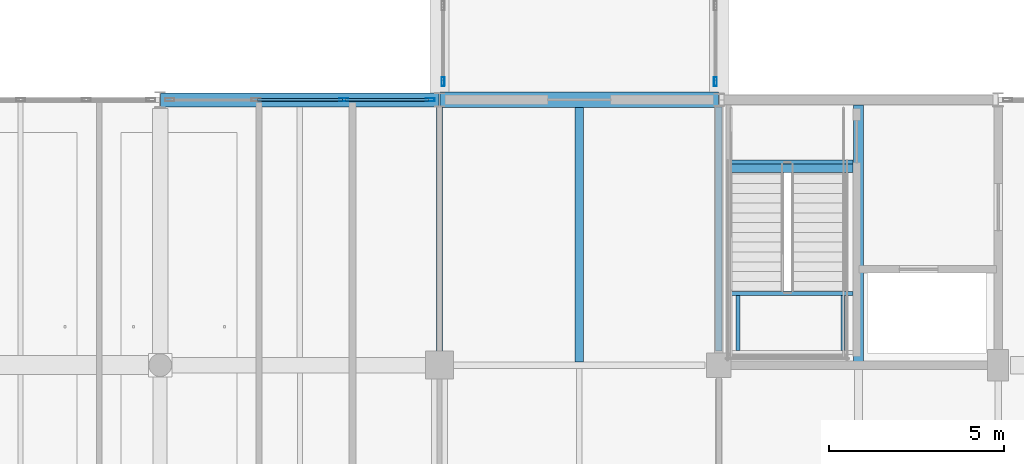
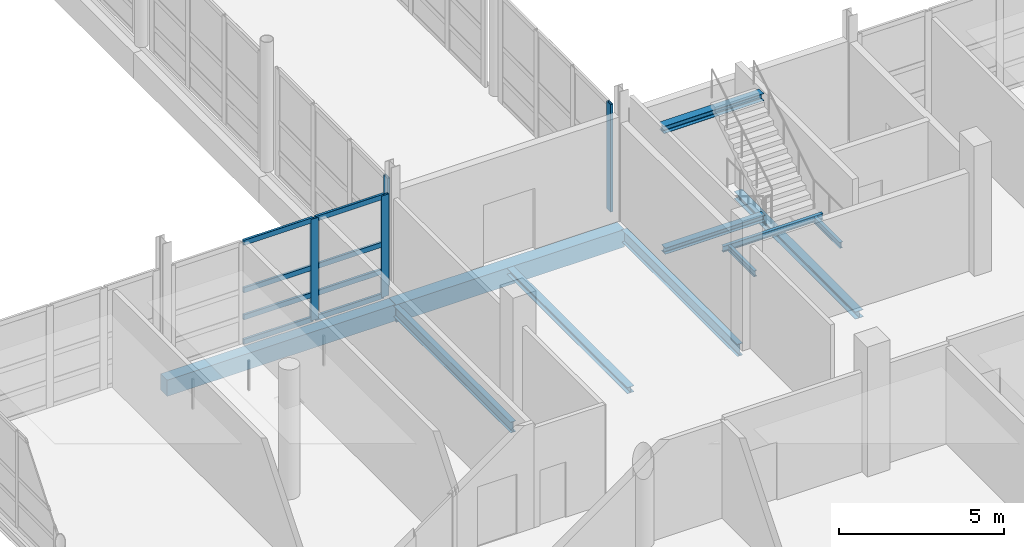
# One storey, part 51 of 147: 12 members, 11 beams, 3 elements without a shape of their own.
"""IFC4 building model written with IfcOpenShell, lengths in metres."""

from ifc_helpers import new_model, si_unit, direction, frame, origin, origin_2d, place, context, subcontext, project, spatial, rectangle, hollow_rectangle, i_section, extrude, material, material_profile, profile_set, type_object, element, aggregate, save


model = new_model("IFC4")

# Units and contexts
model_context = context("Model", 3, precision=1e-05, world=origin(), true_north=direction((0.0, 1.0)))
body_context = subcontext(model_context, "Body", "Model", "MODEL_VIEW")
ifc_project = project(units=[si_unit("LENGTHUNIT", "METRE"), si_unit("AREAUNIT", "SQUARE_METRE"), si_unit("VOLUMEUNIT", "CUBIC_METRE"), si_unit("PLANEANGLEUNIT", "RADIAN"), si_unit("MASSUNIT", "GRAM", prefix="KILO")], contexts=[model_context])

# Site, building, storey
site_placement = place(None, origin())
site = spatial("IfcSite", under=ifc_project, at=site_placement, CompositionType="ELEMENT")
building_placement = place(site_placement, origin())
building = spatial("IfcBuilding", under=site, at=building_placement, Name="Khelvaren Railside Concert Hall", CompositionType="ELEMENT")
storey_placement = place(building_placement, frame((0.0, 0.0, 5.39990234375)))
storey = spatial("IfcBuildingStorey", under=building, at=storey_placement, Name="L01", CompositionType="ELEMENT", Elevation=5.39990234375)

# Beams
ifc_material_1 = material(Name="Steel S355", Category="steel")
ifc_material_profile_1 = material_profile(ifc_material_1, i_section(OverallWidth=0.179931640625, OverallDepth=0.39990234375, WebThickness=0.008544921875, FlangeThickness=0.013427734375, FilletRadius=0.02099609375, at=origin_2d()), Name="IPE 400")
ifc_profile_set_1 = profile_set([ifc_material_profile_1], Name="Steel S355")
beam_type_1 = type_object("IfcBeamType", Name="BM29", PredefinedType="BEAM", material=ifc_profile_set_1)
beam_1_placement = place(storey_placement, frame((160.0, 30.673095703125, -0.5), z_axis=(0.0, 1.0, 0.0), x_axis=(-1.0, 0.0, 0.0)))
element("IfcBeam", 1, at=beam_1_placement, inside=storey, type_object=beam_type_1, Name="V2 L01 Beam Y3.5", PredefinedType="BEAM", context=body_context, shape_type="SweptSolid", body=[
    extrude(i_section(OverallWidth=0.179931640625, OverallDepth=0.39990234375, WebThickness=0.008544921875, FlangeThickness=0.013427734375, FilletRadius=0.02099609375, at=origin_2d()), origin(), (0.0, 0.0, 1.0), 7.101806640625),
])
ifc_material_profile_2 = material_profile(ifc_material_1, i_section(OverallWidth=0.239990234375, OverallDepth=0.22998046875, WebThickness=0.007568359375, FlangeThickness=0.011962890625, FilletRadius=0.02099609375, at=origin_2d()), Name="HEA 240")
ifc_profile_set_2 = profile_set([ifc_material_profile_2], Name="Steel S355")
beam_type_2 = type_object("IfcBeamType", Name="BM42", PredefinedType="BEAM", material=ifc_profile_set_2)
beam_2_placement = place(storey_placement, frame((168.344970703125, 36.039306640625, -0.114990234375), z_axis=(1.0, 0.0, 0.0), x_axis=(0.0, 1.0, 0.0)))
element("IfcBeam", 2, at=beam_2_placement, inside=storey, type_object=beam_type_2, Name="ST-04 L01 Stair Foot Trimmer Beam", PredefinedType="BEAM", context=body_context, shape_type="SweptSolid", body=[
    extrude(i_section(OverallWidth=0.239990234375, OverallDepth=0.22998046875, WebThickness=0.007568359375, FlangeThickness=0.011962890625, FilletRadius=0.02099609375, at=origin_2d()), origin(), (0.0, 0.0, 1.0), 3.4951171875),
])
ifc_material_profile_3 = material_profile(ifc_material_1, i_section(OverallWidth=0.110107421875, OverallDepth=0.219970703125, WebThickness=0.005859375, FlangeThickness=0.00927734375, FilletRadius=0.011962890625, at=origin_2d()), Name="IPE 220")
ifc_profile_set_3 = profile_set([ifc_material_profile_3], Name="Steel S355")
beam_type_3 = type_object("IfcBeamType", Name="BM87", PredefinedType="BEAM", material=ifc_profile_set_3)
beam_3_placement = place(storey_placement, frame((168.344970703125, 32.455078125, 2.090087890625), z_axis=(1.0, 0.0, 0.0), x_axis=(0.0, 1.0, 0.0)))
element("IfcBeam", 3, at=beam_3_placement, inside=storey, type_object=beam_type_3, Name="ST-04 L01 Half-Landing Front Beam", PredefinedType="BEAM", context=body_context, shape_type="SweptSolid", body=[
    extrude(i_section(OverallWidth=0.110107421875, OverallDepth=0.219970703125, WebThickness=0.005859375, FlangeThickness=0.00927734375, FilletRadius=0.011962890625, at=origin_2d()), origin(), (0.0, 0.0, 1.0), 3.4951171875),
])
for number, where, z_axis, x_axis, name in (
    (4, (168.550048828125, 30.81494140625, 2.090087890625), (0.0, 1.0, 0.0), (-1.0, 0.0, 0.0), "ST-04 L01 Half-Landing Side Tie W"),
    (5, (171.550048828125, 30.81494140625, 2.090087890625), (0.0, 1.0, 0.0), (-1.0, 0.0, 0.0), "ST-04 L01 Half-Landing Side Tie E"),
):
    element("IfcBeam", number, at=place(storey_placement, frame(where, z_axis=z_axis, x_axis=x_axis)), inside=storey, type_object=beam_type_3, Name=name, PredefinedType="BEAM", context=body_context, shape_type="SweptSolid", body=[
        extrude(i_section(OverallWidth=0.110107421875, OverallDepth=0.219970703125, WebThickness=0.005859375, FlangeThickness=0.00927734375, FilletRadius=0.011962890625, at=origin_2d()), origin(), (0.0, 0.0, 1.0), 1.5849609375),
    ])
ifc_material_profile_4 = material_profile(ifc_material_1, i_section(OverallWidth=0.280029296875, OverallDepth=0.27001953125, WebThickness=0.008056640625, FlangeThickness=0.012939453125, FilletRadius=0.02392578125, at=origin_2d()), Name="HEA 280")
ifc_profile_set_4 = profile_set([ifc_material_profile_4], Name="Steel S355")
beam_type_4 = type_object("IfcBeamType", Name="BM93", PredefinedType="BEAM", material=ifc_profile_set_4)
beam_4_placement = place(storey_placement, frame((168.344970703125, 36.139892578125, 4.31787109375), z_axis=(1.0, 0.0, 0.0), x_axis=(0.0, 1.0, 0.0)))
element("IfcBeam", 6, at=beam_4_placement, inside=storey, type_object=beam_type_4, Name="ST-04 L01 Stair Top Arrival Trimmer Beam", PredefinedType="BEAM", context=body_context, shape_type="SweptSolid", body=[
    extrude(i_section(OverallWidth=0.280029296875, OverallDepth=0.27001953125, WebThickness=0.008056640625, FlangeThickness=0.012939453125, FilletRadius=0.02392578125, at=origin_2d()), origin(), (0.0, 0.0, 1.0), 3.4951171875),
])
ifc_material_profile_5 = material_profile(ifc_material_1, i_section(OverallWidth=0.18994140625, OverallDepth=0.449951171875, WebThickness=0.009521484375, FlangeThickness=0.0146484375, FilletRadius=0.02099609375, at=origin_2d()), Name="IPE 450")
ifc_profile_set_5 = profile_set([ifc_material_profile_5], Name="Steel S355")
beam_type_5 = type_object("IfcBeamType", Name="BM95", PredefinedType="BEAM", material=ifc_profile_set_5)
beam_5_placement = place(storey_placement, frame((168.0, 30.800048828125, -0.52490234375), z_axis=(0.0, 1.0, 0.0), x_axis=(-1.0, 0.0, 0.0)))
element("IfcBeam", 7, at=beam_5_placement, inside=storey, type_object=beam_type_5, Name="V2 L01 Beam Y4.5", PredefinedType="BEAM", context=body_context, shape_type="SweptSolid", body=[
    extrude(i_section(OverallWidth=0.18994140625, OverallDepth=0.449951171875, WebThickness=0.009521484375, FlangeThickness=0.0146484375, FilletRadius=0.02099609375, at=origin_2d()), origin(), (0.0, 0.0, 1.0), 7.0),
])

# Curtain wall, members
ifc_material_2 = material(Name="Acoustic laminated crystal facade glass", Category="glass")
curtain_wall_type_1 = type_object("IfcCurtainWallType", Name="CW66", PredefinedType="USERDEFINED", material=ifc_material_2)
curtain_wall_1_placement = place(storey_placement, origin())
curtain_wall_1 = element("IfcCurtainWall", 8, at=curtain_wall_1_placement, inside=storey, type_object=curtain_wall_type_1, Name="Unitised Curtain Wall CW-V2-L01-N-152", ObjectType="UNITISED CURTAIN WALL", PredefinedType="USERDEFINED")
ifc_material_3 = material(Name="Anodised architectural aluminium 6063-T6", Category="aluminium")
ifc_material_profile_6 = material_profile(ifc_material_3, hollow_rectangle(XDim=0.0849609375, YDim=0.260009765625, WallThickness=0.0048828125, InnerFilletRadius=0.0029296875, OuterFilletRadius=0.0048828125, at=origin_2d()), Name="CWM 85x260x5")
ifc_profile_set_6 = profile_set([ifc_material_profile_6], Name="Anodised architectural aluminium 6063-T6")
member_type_1 = type_object("IfcMemberType", Name="CWM40", PredefinedType="MULLION", material=ifc_profile_set_6)
member_1_placement = place(storey_placement, frame((157.257568359375, 38.0, 0.0), z_axis=(0.0, 0.0, 1.0), x_axis=(0.0, 1.0, 0.0)))
member_1 = element("IfcMember", 9, at=member_1_placement, type_object=member_type_1, Name="CW66 mullion 3", PredefinedType="MULLION", context=body_context, shape_type="SweptSolid", body=[
    extrude(hollow_rectangle(XDim=0.0849609375, YDim=0.260009765625, WallThickness=0.0048828125, InnerFilletRadius=0.0029296875, OuterFilletRadius=0.0048828125, at=origin_2d()), origin(), (0.0, 0.0, 1.0), 3.75),
])
member_2_placement = place(storey_placement, frame((159.72998046875, 38.0, 0.0), z_axis=(0.0, 0.0, 1.0), x_axis=(0.0, 1.0, 0.0)))
member_2 = element("IfcMember", 10, at=member_2_placement, type_object=member_type_1, Name="CW66 mullion 4", PredefinedType="MULLION", context=body_context, shape_type="SweptSolid", body=[
    extrude(hollow_rectangle(XDim=0.0849609375, YDim=0.260009765625, WallThickness=0.0048828125, InnerFilletRadius=0.0029296875, OuterFilletRadius=0.0048828125, at=origin_2d()), origin(), (0.0, 0.0, 1.0), 3.75),
])

# Curtain wall, member
curtain_wall_type_2 = type_object("IfcCurtainWallType", Name="CW78", PredefinedType="USERDEFINED", material=ifc_material_2)
curtain_wall_2_placement = place(storey_placement, origin())
curtain_wall_2 = element("IfcCurtainWall", 11, at=curtain_wall_2_placement, inside=storey, type_object=curtain_wall_type_2, Name="Unitised Curtain Wall CW-LB4-L01-W1", ObjectType="UNITISED CURTAIN WALL", PredefinedType="USERDEFINED")
member_3_placement = place(storey_placement, frame((160.10009765625, 38.5224609375, 0.0), z_axis=(0.0, 0.0, 1.0), x_axis=(-1.0, 0.0, 0.0)))
member_3 = element("IfcMember", 12, at=member_3_placement, type_object=member_type_1, Name="CW78 mullion 1", PredefinedType="MULLION", context=body_context, shape_type="SweptSolid", body=[
    extrude(hollow_rectangle(XDim=0.0849609375, YDim=0.260009765625, WallThickness=0.0048828125, InnerFilletRadius=0.0029296875, OuterFilletRadius=0.0048828125, at=origin_2d()), origin(), (0.0, 0.0, 1.0), 3.97998046875),
])
aggregate(curtain_wall_2, [member_3])

curtain_wall_3_placement = place(storey_placement, origin())
curtain_wall_3 = element("IfcCurtainWall", 13, at=curtain_wall_3_placement, inside=storey, type_object=curtain_wall_type_2, Name="Unitised Curtain Wall CW-LB4-L01-E1", ObjectType="UNITISED CURTAIN WALL", PredefinedType="USERDEFINED")
member_4_placement = place(storey_placement, frame((167.89990234375, 38.5224609375, 0.0), z_axis=(0.0, 0.0, 1.0), x_axis=(1.0, 0.0, 0.0)))
member_4 = element("IfcMember", 14, at=member_4_placement, type_object=member_type_1, Name="CW78 mullion 4", PredefinedType="MULLION", context=body_context, shape_type="SweptSolid", body=[
    extrude(hollow_rectangle(XDim=0.0849609375, YDim=0.260009765625, WallThickness=0.0048828125, InnerFilletRadius=0.0029296875, OuterFilletRadius=0.0048828125, at=origin_2d()), origin(), (0.0, 0.0, 1.0), 3.97998046875),
])
aggregate(curtain_wall_3, [member_4])

# Member
ifc_material_profile_7 = material_profile(ifc_material_3, hollow_rectangle(XDim=0.0849609375, YDim=0.18994140625, WallThickness=0.0048828125, InnerFilletRadius=0.0029296875, OuterFilletRadius=0.0048828125, at=origin_2d()), Name="CWT 85x190x5")
ifc_profile_set_7 = profile_set([ifc_material_profile_7], Name="Anodised architectural aluminium 6063-T6")
member_type_2 = type_object("IfcMemberType", Name="CWT31", PredefinedType="USERDEFINED", material=ifc_profile_set_7)
member_5_placement = place(storey_placement, frame((154.784912109375, 38.0, 0.04248046875), z_axis=(1.0, 0.0, 0.0), x_axis=(0.0, 1.0, 0.0)))
member_5 = element("IfcMember", 15, at=member_5_placement, type_object=member_type_2, Name="CW66 transom 2.1", ObjectType="TRANSOM", PredefinedType="USERDEFINED", context=body_context, shape_type="SweptSolid", body=[
    extrude(hollow_rectangle(XDim=0.0849609375, YDim=0.18994140625, WallThickness=0.0048828125, InnerFilletRadius=0.0029296875, OuterFilletRadius=0.0048828125, at=origin_2d()), origin(), (0.0, 0.0, 1.0), 2.43017578125),
])

member_6_placement = place(storey_placement, frame((154.784912109375, 38.0, 0.9501953125), z_axis=(1.0, 0.0, 0.0), x_axis=(0.0, 1.0, 0.0)))
member_6 = element("IfcMember", 16, at=member_6_placement, type_object=member_type_2, Name="CW66 transom 2.2", ObjectType="TRANSOM", PredefinedType="USERDEFINED", context=body_context, shape_type="SweptSolid", body=[
    extrude(hollow_rectangle(XDim=0.0849609375, YDim=0.18994140625, WallThickness=0.0048828125, InnerFilletRadius=0.0029296875, OuterFilletRadius=0.0048828125, at=origin_2d()), origin(), (0.0, 0.0, 1.0), 2.43017578125),
])

member_7_placement = place(storey_placement, frame((154.784912109375, 38.0, 1.9501953125), z_axis=(1.0, 0.0, 0.0), x_axis=(0.0, 1.0, 0.0)))
member_7 = element("IfcMember", 17, at=member_7_placement, type_object=member_type_2, Name="CW66 transom 2.3", ObjectType="TRANSOM", PredefinedType="USERDEFINED", context=body_context, shape_type="SweptSolid", body=[
    extrude(hollow_rectangle(XDim=0.0849609375, YDim=0.18994140625, WallThickness=0.0048828125, InnerFilletRadius=0.0029296875, OuterFilletRadius=0.0048828125, at=origin_2d()), origin(), (0.0, 0.0, 1.0), 2.43017578125),
])

member_8_placement = place(storey_placement, frame((154.784912109375, 38.0, 3.70751953125), z_axis=(1.0, 0.0, 0.0), x_axis=(0.0, 1.0, 0.0)))
member_8 = element("IfcMember", 18, at=member_8_placement, type_object=member_type_2, Name="CW66 transom 2.4", ObjectType="TRANSOM", PredefinedType="USERDEFINED", context=body_context, shape_type="SweptSolid", body=[
    extrude(hollow_rectangle(XDim=0.0849609375, YDim=0.18994140625, WallThickness=0.0048828125, InnerFilletRadius=0.0029296875, OuterFilletRadius=0.0048828125, at=origin_2d()), origin(), (0.0, 0.0, 1.0), 2.43017578125),
])

member_9_placement = place(storey_placement, frame((157.300048828125, 38.0, 0.04248046875), z_axis=(1.0, 0.0, 0.0), x_axis=(0.0, 1.0, 0.0)))
member_9 = element("IfcMember", 19, at=member_9_placement, type_object=member_type_2, Name="CW66 transom 3.1", ObjectType="TRANSOM", PredefinedType="USERDEFINED", context=body_context, shape_type="SweptSolid", body=[
    extrude(hollow_rectangle(XDim=0.0849609375, YDim=0.18994140625, WallThickness=0.0048828125, InnerFilletRadius=0.0029296875, OuterFilletRadius=0.0048828125, at=origin_2d()), origin(), (0.0, 0.0, 1.0), 2.387451171875),
])

member_10_placement = place(storey_placement, frame((157.300048828125, 38.0, 0.9501953125), z_axis=(1.0, 0.0, 0.0), x_axis=(0.0, 1.0, 0.0)))
member_10 = element("IfcMember", 20, at=member_10_placement, type_object=member_type_2, Name="CW66 transom 3.2", ObjectType="TRANSOM", PredefinedType="USERDEFINED", context=body_context, shape_type="SweptSolid", body=[
    extrude(hollow_rectangle(XDim=0.0849609375, YDim=0.18994140625, WallThickness=0.0048828125, InnerFilletRadius=0.0029296875, OuterFilletRadius=0.0048828125, at=origin_2d()), origin(), (0.0, 0.0, 1.0), 2.387451171875),
])

member_11_placement = place(storey_placement, frame((157.300048828125, 38.0, 1.9501953125), z_axis=(1.0, 0.0, 0.0), x_axis=(0.0, 1.0, 0.0)))
member_11 = element("IfcMember", 21, at=member_11_placement, type_object=member_type_2, Name="CW66 transom 3.3", ObjectType="TRANSOM", PredefinedType="USERDEFINED", context=body_context, shape_type="SweptSolid", body=[
    extrude(hollow_rectangle(XDim=0.0849609375, YDim=0.18994140625, WallThickness=0.0048828125, InnerFilletRadius=0.0029296875, OuterFilletRadius=0.0048828125, at=origin_2d()), origin(), (0.0, 0.0, 1.0), 2.387451171875),
])

member_12_placement = place(storey_placement, frame((157.300048828125, 38.0, 3.70751953125), z_axis=(1.0, 0.0, 0.0), x_axis=(0.0, 1.0, 0.0)))
member_12 = element("IfcMember", 22, at=member_12_placement, type_object=member_type_2, Name="CW66 transom 3.4", ObjectType="TRANSOM", PredefinedType="USERDEFINED", context=body_context, shape_type="SweptSolid", body=[
    extrude(hollow_rectangle(XDim=0.0849609375, YDim=0.18994140625, WallThickness=0.0048828125, InnerFilletRadius=0.0029296875, OuterFilletRadius=0.0048828125, at=origin_2d()), origin(), (0.0, 0.0, 1.0), 2.387451171875),
])

aggregate(curtain_wall_1, [member_1, member_2, member_5, member_6, member_7, member_8, member_9, member_10, member_11, member_12])

# Beams
ifc_material_profile_8 = material_profile(ifc_material_1, i_section(OverallWidth=0.280029296875, OverallDepth=0.27001953125, WebThickness=0.008056640625, FlangeThickness=0.012939453125, FilletRadius=0.02392578125, at=origin_2d()), Name="HEA 280")
ifc_profile_set_8 = profile_set([ifc_material_profile_8], Name="Steel S355")
beam_type_6 = type_object("IfcBeamType", Name="JS46", PredefinedType="JOIST", material=ifc_profile_set_8)
beam_6_placement = place(storey_placement, frame((172.0, 30.4951171875, -0.434814453125), z_axis=(0.0, 1.0, 0.0), x_axis=(-1.0, 0.0, 0.0)))
element("IfcBeam", 23, at=beam_6_placement, inside=storey, type_object=beam_type_6, Name="V2 L01 Secondary Joist 4.5", PredefinedType="JOIST", context=body_context, shape_type="SweptSolid", body=[
    extrude(i_section(OverallWidth=0.280029296875, OverallDepth=0.27001953125, WebThickness=0.008056640625, FlangeThickness=0.012939453125, FilletRadius=0.02392578125, at=origin_2d()), origin(), (0.0, 0.0, 1.0), 7.35498046875),
])
ifc_material_profile_9 = material_profile(ifc_material_1, i_section(OverallWidth=0.239990234375, OverallDepth=0.22998046875, WebThickness=0.007568359375, FlangeThickness=0.011962890625, FilletRadius=0.02099609375, at=origin_2d()), Name="HEA 240")
ifc_profile_set_9 = profile_set([ifc_material_profile_9], Name="Steel S355")
beam_type_7 = type_object("IfcBeamType", Name="JS76", PredefinedType="JOIST", material=ifc_profile_set_9)
beam_7_placement = place(storey_placement, frame((164.0, 30.489990234375, -0.414794921875), z_axis=(0.0, 1.0, 0.0), x_axis=(-1.0, 0.0, 0.0)))
element("IfcBeam", 24, at=beam_7_placement, inside=storey, type_object=beam_type_7, Name="V2 L01 Secondary Joist 3.5", PredefinedType="JOIST", context=body_context, shape_type="SweptSolid", body=[
    extrude(i_section(OverallWidth=0.239990234375, OverallDepth=0.22998046875, WebThickness=0.007568359375, FlangeThickness=0.011962890625, FilletRadius=0.02099609375, at=origin_2d()), origin(), (0.0, 0.0, 1.0), 7.284912109375),
])
ifc_material_4 = material(Name="Concrete C40/50", Category="concrete")
ifc_material_profile_10 = material_profile(ifc_material_4, rectangle(XDim=0.449951171875, YDim=0.64990234375, at=origin_2d()), Name="RCB 450x650")
ifc_profile_set_10 = profile_set([ifc_material_profile_10], Name="Concrete C40/50")
beam_type_8 = type_object("IfcBeamType", Name="SP34", PredefinedType="SPANDREL", material=ifc_profile_set_10)
beam_8_placement = place(storey_placement, frame((160.010009765625, 38.0, -0.625), z_axis=(1.0, 0.0, 0.0), x_axis=(0.0, 1.0, 0.0)))
element("IfcBeam", 25, at=beam_8_placement, inside=storey, type_object=beam_type_8, Name="V2 L01 Spandrel X6.3", PredefinedType="SPANDREL", context=body_context, shape_type="SweptSolid", body=[
    extrude(rectangle(XDim=0.449951171875, YDim=0.64990234375, at=origin_2d()), origin(), (0.0, 0.0, 1.0), 7.97998046875),
])
ifc_material_profile_11 = material_profile(ifc_material_4, rectangle(XDim=0.39990234375, YDim=0.60009765625, at=origin_2d()), Name="RCB 400x600")
ifc_profile_set_11 = profile_set([ifc_material_profile_11], Name="Concrete C40/50")
beam_type_9 = type_object("IfcBeamType", Name="SP75", PredefinedType="SPANDREL", material=ifc_profile_set_11)
beam_9_placement = place(storey_placement, frame((152.010009765625, 38.0, -0.599853515625), z_axis=(1.0, 0.0, 0.0), x_axis=(0.0, 1.0, 0.0)))
element("IfcBeam", 26, at=beam_9_placement, inside=storey, type_object=beam_type_9, Name="V2 L01 Spandrel X6.2", PredefinedType="SPANDREL", context=body_context, shape_type="SweptSolid", body=[
    extrude(rectangle(XDim=0.39990234375, YDim=0.60009765625, at=origin_2d()), origin(), (0.0, 0.0, 1.0), 7.97998046875),
])

save(model, "model.ifc")
